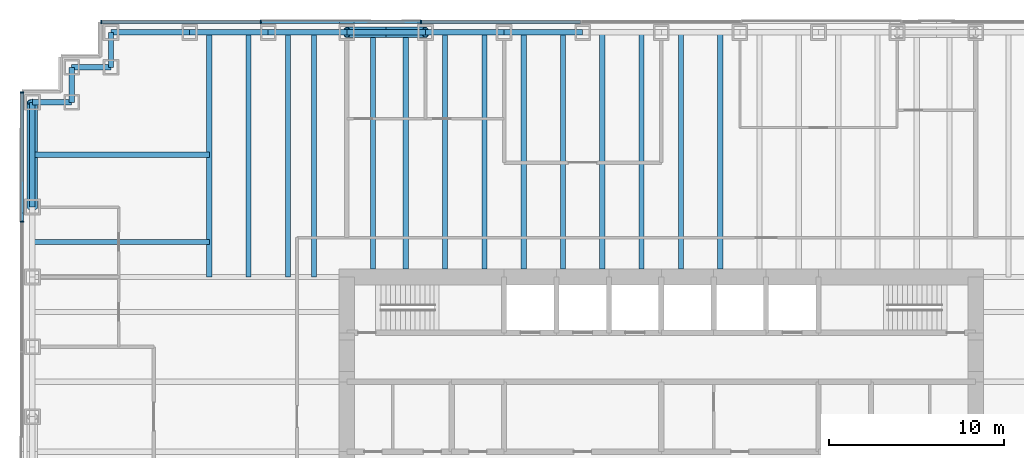
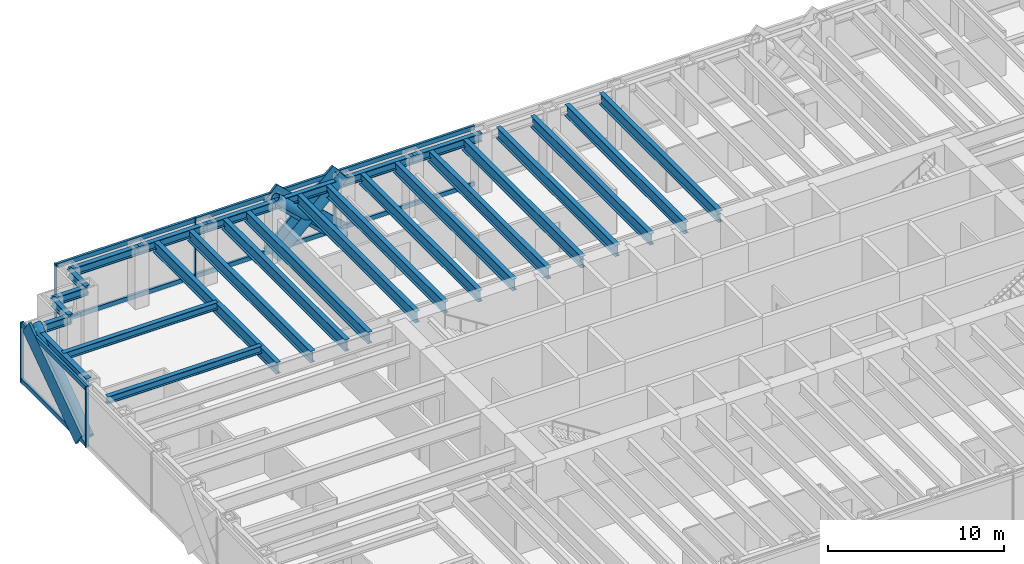
# One storey, part 6 of 17: 27 beams, 19 members, 2 elements without a shape of their own.
"""IFC4 building model written with IfcOpenShell, lengths in metres."""

from ifc_helpers import new_model, si_unit, direction, frame, origin, origin_2d, place, context, subcontext, project, spatial, rectangle, hollow_circle, i_section, extrude, material, material_profile, profile_set, type_object, element, aggregate, save


model = new_model("IFC4")

# Units and contexts
model_context = context("Model", 3, precision=1e-05, world=origin(), true_north=direction((0.0, 1.0)))
body_context = subcontext(model_context, "Body", "Model", "MODEL_VIEW")
ifc_project = project(units=[si_unit("LENGTHUNIT", "METRE"), si_unit("AREAUNIT", "SQUARE_METRE"), si_unit("VOLUMEUNIT", "CUBIC_METRE"), si_unit("PLANEANGLEUNIT", "RADIAN"), si_unit("MASSUNIT", "GRAM", prefix="KILO")], contexts=[model_context])

# Site, building, storey
site_placement = place(None, origin())
site = spatial("IfcSite", under=ifc_project, at=site_placement, CompositionType="ELEMENT")
building_placement = place(site_placement, origin())
building = spatial("IfcBuilding", under=site, at=building_placement, Name="Rheinbord Bourse Tower", CompositionType="ELEMENT")
storey_placement = place(building_placement, frame((0.0, 0.0, 138.300048828125)))
storey = spatial("IfcBuildingStorey", under=building, at=storey_placement, Name="L30", CompositionType="ELEMENT", Elevation=138.300048828125)

# Curtain wall, members
ifc_material_1 = material(Name="Dark glass and black aluminium", Category="aluminium")
curtain_wall_type = type_object("IfcCurtainWallType", Name="CW2 DARK GLASS CURTAIN WALL", PredefinedType="USERDEFINED", material=ifc_material_1)
curtain_wall_1_placement = place(storey_placement, origin())
curtain_wall_1 = element("IfcCurtainWall", 1, at=curtain_wall_1_placement, inside=storey, type_object=curtain_wall_type, Name="Curtain wall CW2 N L30", ObjectType="UNITISED CURTAIN WALL", PredefinedType="USERDEFINED")
ifc_material_2 = material(Name="Black anodised aluminium", Category="aluminium")
ifc_material_profile_1 = material_profile(ifc_material_2, rectangle(XDim=0.159912109375, YDim=1.2099609375, at=origin_2d()), Name="CW2 DIAGONAL MULLION 1210x160")
ifc_profile_set_1 = profile_set([ifc_material_profile_1], Name="Black anodised aluminium")
member_type_1 = type_object("IfcMemberType", Name="CW2 BLACK DIAGONAL MULLION", PredefinedType="USERDEFINED", material=ifc_profile_set_1)
member_1_placement = place(storey_placement, frame((18.0, 46.60009765625, 0.0), z_axis=(0.73105922506, 0.0, 0.682314010889), x_axis=(0.0, 1.0, 0.0)))
member_1 = element("IfcMember", 2, at=member_1_placement, type_object=member_type_1, Name="CW2 diagonal mullion a", ObjectType="DIAGONAL MULLION", PredefinedType="USERDEFINED", context=body_context, shape_type="SweptSolid", body=[
    extrude(rectangle(XDim=0.159912109375, YDim=1.2099609375, at=origin_2d()), origin(), (0.0, 0.0, 1.0), 6.155517578125),
])
member_2_placement = place(storey_placement, frame((22.5, 46.60009765625, 0.0), z_axis=(-0.73105922506, 0.0, 0.682314010889), x_axis=(0.0, -1.0, 0.0)))
member_2 = element("IfcMember", 3, at=member_2_placement, type_object=member_type_1, Name="CW2 diagonal mullion d", ObjectType="DIAGONAL MULLION", PredefinedType="USERDEFINED", context=body_context, shape_type="SweptSolid", body=[
    extrude(rectangle(XDim=0.159912109375, YDim=1.2099609375, at=origin_2d()), origin(), (0.0, 0.0, 1.0), 6.155517578125),
])

# Curtain wall, member
curtain_wall_2_placement = place(storey_placement, origin())
curtain_wall_2 = element("IfcCurtainWall", 4, at=curtain_wall_2_placement, inside=storey, type_object=curtain_wall_type, Name="Curtain wall CW2 W L30", ObjectType="UNITISED CURTAIN WALL", PredefinedType="USERDEFINED")
member_3_placement = place(storey_placement, frame((-0.60009765625, 36.0, 0.0), z_axis=(0.0, 0.819235052632, 0.57345786989), x_axis=(-1.0, 0.0, 0.0)))
member_3 = element("IfcMember", 5, at=member_3_placement, type_object=member_type_1, Name="CW2 diagonal mullion d", ObjectType="DIAGONAL MULLION", PredefinedType="USERDEFINED", context=body_context, shape_type="SweptSolid", body=[
    extrude(rectangle(XDim=0.159912109375, YDim=1.2099609375, at=origin_2d()), origin(), (0.0, 0.0, 1.0), 7.323974609375),
])

# Member
ifc_material_3 = material(Name="Black anodised aluminium", Category="aluminium")
ifc_material_profile_2 = material_profile(ifc_material_3, rectangle(XDim=0.219970703125, YDim=0.070068359375, at=origin_2d()), Name="CW2 MULLION 70x220")
ifc_profile_set_2 = profile_set([ifc_material_profile_2], Name="Black anodised aluminium")
member_type_2 = type_object("IfcMemberType", Name="CW2 BLACK MULLION", PredefinedType="MULLION", material=ifc_profile_set_2)
member_4_placement = place(storey_placement, frame((22.242919921875, 46.60009765625, 0.0), z_axis=(0.0, 0.0, 1.0), x_axis=(0.0, -1.0, 0.0)))
member_4 = element("IfcMember", 6, at=member_4_placement, type_object=member_type_2, Name="CW2 mullion 6", PredefinedType="MULLION", context=body_context, shape_type="SweptSolid", body=[
    extrude(rectangle(XDim=0.219970703125, YDim=0.070068359375, at=origin_2d()), origin(), (0.0, 0.0, 1.0), 4.199951171875),
])

member_5_placement = place(storey_placement, frame((13.071533203125, 46.60009765625, 0.0), z_axis=(0.0, 0.0, 1.0), x_axis=(0.0, -1.0, 0.0)))
member_5 = element("IfcMember", 7, at=member_5_placement, type_object=member_type_2, Name="CW2 mullion 7", PredefinedType="MULLION", context=body_context, shape_type="SweptSolid", body=[
    extrude(rectangle(XDim=0.219970703125, YDim=0.070068359375, at=origin_2d()), origin(), (0.0, 0.0, 1.0), 4.199951171875),
])

member_6_placement = place(storey_placement, frame((3.93505859375, 46.60009765625, 0.0), z_axis=(0.0, 0.0, 1.0), x_axis=(0.0, -1.0, 0.0)))
member_6 = element("IfcMember", 8, at=member_6_placement, type_object=member_type_2, Name="CW2 mullion 8", PredefinedType="MULLION", context=body_context, shape_type="SweptSolid", body=[
    extrude(rectangle(XDim=0.219970703125, YDim=0.070068359375, at=origin_2d()), origin(), (0.0, 0.0, 1.0), 4.199951171875),
])

member_7_placement = place(storey_placement, frame((-0.60009765625, 42.56494140625, 0.0), z_axis=(0.0, 0.0, 1.0), x_axis=(1.0, 0.0, 0.0)))
member_7 = element("IfcMember", 9, at=member_7_placement, type_object=member_type_2, Name="CW2 mullion 1", PredefinedType="MULLION", context=body_context, shape_type="SweptSolid", body=[
    extrude(rectangle(XDim=0.219970703125, YDim=0.070068359375, at=origin_2d()), origin(), (0.0, 0.0, 1.0), 4.199951171875),
])

member_8_placement = place(storey_placement, frame((-0.60009765625, 35.159912109375, 0.0), z_axis=(0.0, 0.0, 1.0), x_axis=(1.0, 0.0, 0.0)))
member_8 = element("IfcMember", 10, at=member_8_placement, type_object=member_type_2, Name="CW2 mullion 2", PredefinedType="MULLION", context=body_context, shape_type="SweptSolid", body=[
    extrude(rectangle(XDim=0.219970703125, YDim=0.070068359375, at=origin_2d()), origin(), (0.0, 0.0, 1.0), 4.199951171875),
])

ifc_material_4 = material(Name="Black anodised aluminium", Category="aluminium")
ifc_material_profile_3 = material_profile(ifc_material_4, rectangle(XDim=0.159912109375, YDim=0.300048828125, at=origin_2d()), Name="CW2 TRANSOM 300x160")
ifc_profile_set_3 = profile_set([ifc_material_profile_3], Name="Black anodised aluminium")
member_type_3 = type_object("IfcMemberType", Name="CW2 BLACK TRANSOM", PredefinedType="USERDEFINED", material=ifc_profile_set_3)
member_9_placement = place(storey_placement, frame((31.37939453125, 46.60009765625, 0.14990234375), z_axis=(-1.0, 0.0, 0.0), x_axis=(0.0, -1.0, 0.0)))
member_9 = element("IfcMember", 11, at=member_9_placement, type_object=member_type_3, Name="CW2 transom 5.1", ObjectType="TRANSOM", PredefinedType="USERDEFINED", context=body_context, shape_type="SweptSolid", body=[
    extrude(rectangle(XDim=0.159912109375, YDim=0.300048828125, at=origin_2d()), origin(), (0.0, 0.0, 1.0), 9.1015625),
])

member_10_placement = place(storey_placement, frame((31.37939453125, 46.60009765625, 4.050048828125), z_axis=(-1.0, 0.0, 0.0), x_axis=(0.0, -1.0, 0.0)))
member_10 = element("IfcMember", 12, at=member_10_placement, type_object=member_type_3, Name="CW2 transom 5.2", ObjectType="TRANSOM", PredefinedType="USERDEFINED", context=body_context, shape_type="SweptSolid", body=[
    extrude(rectangle(XDim=0.159912109375, YDim=0.300048828125, at=origin_2d()), origin(), (0.0, 0.0, 1.0), 9.1015625),
])

member_11_placement = place(storey_placement, frame((22.207763671875, 46.60009765625, 0.14990234375), z_axis=(-1.0, 0.0, 0.0), x_axis=(0.0, -1.0, 0.0)))
member_11 = element("IfcMember", 13, at=member_11_placement, type_object=member_type_3, Name="CW2 transom 6.1", ObjectType="TRANSOM", PredefinedType="USERDEFINED", context=body_context, shape_type="SweptSolid", body=[
    extrude(rectangle(XDim=0.159912109375, YDim=0.300048828125, at=origin_2d()), origin(), (0.0, 0.0, 1.0), 9.101318359375),
])

member_12_placement = place(storey_placement, frame((22.207763671875, 46.60009765625, 4.050048828125), z_axis=(-1.0, 0.0, 0.0), x_axis=(0.0, -1.0, 0.0)))
member_12 = element("IfcMember", 14, at=member_12_placement, type_object=member_type_3, Name="CW2 transom 6.2", ObjectType="TRANSOM", PredefinedType="USERDEFINED", context=body_context, shape_type="SweptSolid", body=[
    extrude(rectangle(XDim=0.159912109375, YDim=0.300048828125, at=origin_2d()), origin(), (0.0, 0.0, 1.0), 9.101318359375),
])

member_13_placement = place(storey_placement, frame((13.036376953125, 46.60009765625, 0.14990234375), z_axis=(-1.0, 0.0, 0.0), x_axis=(0.0, -1.0, 0.0)))
member_13 = element("IfcMember", 15, at=member_13_placement, type_object=member_type_3, Name="CW2 transom 7.1", ObjectType="TRANSOM", PredefinedType="USERDEFINED", context=body_context, shape_type="SweptSolid", body=[
    extrude(rectangle(XDim=0.159912109375, YDim=0.300048828125, at=origin_2d()), origin(), (0.0, 0.0, 1.0), 9.06640625),
])

member_14_placement = place(storey_placement, frame((13.036376953125, 46.60009765625, 4.050048828125), z_axis=(-1.0, 0.0, 0.0), x_axis=(0.0, -1.0, 0.0)))
member_14 = element("IfcMember", 16, at=member_14_placement, type_object=member_type_3, Name="CW2 transom 7.2", ObjectType="TRANSOM", PredefinedType="USERDEFINED", context=body_context, shape_type="SweptSolid", body=[
    extrude(rectangle(XDim=0.159912109375, YDim=0.300048828125, at=origin_2d()), origin(), (0.0, 0.0, 1.0), 9.06640625),
])

aggregate(curtain_wall_1, [member_4, member_5, member_6, member_9, member_10, member_11, member_12, member_13, member_14, member_1, member_2])

member_15_placement = place(storey_placement, frame((-0.60009765625, 42.530029296875, 0.14990234375), z_axis=(0.0, -1.0, 0.0), x_axis=(1.0, 0.0, 0.0)))
member_15 = element("IfcMember", 17, at=member_15_placement, type_object=member_type_3, Name="CW2 transom 1.1", ObjectType="TRANSOM", PredefinedType="USERDEFINED", context=body_context, shape_type="SweptSolid", body=[
    extrude(rectangle(XDim=0.159912109375, YDim=0.300048828125, at=origin_2d()), origin(), (0.0, 0.0, 1.0), 7.3349609375),
])

member_16_placement = place(storey_placement, frame((-0.60009765625, 42.530029296875, 4.050048828125), z_axis=(0.0, -1.0, 0.0), x_axis=(1.0, 0.0, 0.0)))
member_16 = element("IfcMember", 18, at=member_16_placement, type_object=member_type_3, Name="CW2 transom 1.2", ObjectType="TRANSOM", PredefinedType="USERDEFINED", context=body_context, shape_type="SweptSolid", body=[
    extrude(rectangle(XDim=0.159912109375, YDim=0.300048828125, at=origin_2d()), origin(), (0.0, 0.0, 1.0), 7.3349609375),
])

aggregate(curtain_wall_2, [member_7, member_8, member_15, member_16, member_3])

# Beams
ifc_material_5 = material(Name="Steel S460", Category="steel")
ifc_material_profile_4 = material_profile(ifc_material_5, i_section(OverallWidth=0.300048828125, OverallDepth=0.800048828125, WebThickness=0.017578125, FlangeThickness=0.032958984375, at=origin_2d()), Name="HEB 800")
ifc_profile_set_4 = profile_set([ifc_material_profile_4], Name="Steel S460")
beam_type_1 = type_object("IfcBeamType", Name="FLOOR BEAM HEB 800", PredefinedType="BEAM", material=ifc_profile_set_4)
for number, where, z_axis, x_axis, name in (
    (19, (10.125, 46.0, 3.639892578125), (0.0, -1.0, 0.0), (1.0, 0.0, 0.0), "Floor beam N-9a L31"),
    (20, (12.375, 46.0, 3.639892578125), (0.0, -1.0, 0.0), (1.0, 0.0, 0.0), "Floor beam N-9b L31"),
    (21, (14.625, 46.0, 3.639892578125), (0.0, -1.0, 0.0), (1.0, 0.0, 0.0), "Floor beam N-13.5a L31"),
    (22, (16.125, 46.0, 3.639892578125), (0.0, -1.0, 0.0), (1.0, 0.0, 0.0), "Floor beam N-13.5b L31"),
):
    element("IfcBeam", number, at=place(storey_placement, frame(where, z_axis=z_axis, x_axis=x_axis)), inside=storey, type_object=beam_type_1, Name=name, PredefinedType="BEAM", context=body_context, shape_type="SweptSolid", body=[
        extrude(i_section(OverallWidth=0.300048828125, OverallDepth=0.800048828125, WebThickness=0.017578125, FlangeThickness=0.032958984375, at=origin_2d()), origin(), (0.0, 0.0, 1.0), 14.0),
    ])
for number, where, z_axis, x_axis, name in (
    (23, (19.5, 46.0, 3.639892578125), (0.0, -1.0, 0.0), (1.0, 0.0, 0.0), "Floor beam N-18a L31"),
    (24, (21.375, 46.0, 3.639892578125), (0.0, -1.0, 0.0), (1.0, 0.0, 0.0), "Floor beam N-18b L31"),
    (25, (23.625, 46.0, 3.639892578125), (0.0, -1.0, 0.0), (1.0, 0.0, 0.0), "Floor beam N-22.5a L31"),
    (26, (25.875, 46.0, 3.639892578125), (0.0, -1.0, 0.0), (1.0, 0.0, 0.0), "Floor beam N-22.5b L31"),
    (27, (28.125, 46.0, 3.639892578125), (0.0, -1.0, 0.0), (1.0, 0.0, 0.0), "Floor beam N-27a L31"),
    (28, (30.375, 46.0, 3.639892578125), (0.0, -1.0, 0.0), (1.0, 0.0, 0.0), "Floor beam N-27b L31"),
    (29, (32.625, 46.0, 3.639892578125), (0.0, -1.0, 0.0), (1.0, 0.0, 0.0), "Floor beam N-31.5a L31"),
    (30, (34.875, 46.0, 3.639892578125), (0.0, -1.0, 0.0), (1.0, 0.0, 0.0), "Floor beam N-31.5b L31"),
    (31, (37.125, 46.0, 3.639892578125), (0.0, -1.0, 0.0), (1.0, 0.0, 0.0), "Floor beam N-36a L31"),
    (32, (39.375, 46.0, 3.639892578125), (0.0, -1.0, 0.0), (1.0, 0.0, 0.0), "Floor beam N-36b L31"),
):
    element("IfcBeam", number, at=place(storey_placement, frame(where, z_axis=z_axis, x_axis=x_axis)), inside=storey, type_object=beam_type_1, Name=name, PredefinedType="BEAM", context=body_context, shape_type="SweptSolid", body=[
        extrude(i_section(OverallWidth=0.300048828125, OverallDepth=0.800048828125, WebThickness=0.017578125, FlangeThickness=0.032958984375, at=origin_2d()), origin(), (0.0, 0.0, 1.0), 13.550048828125),
    ])

# Members
ifc_material_6 = material(Name="Steel S460", Category="steel")
ifc_material_profile_5 = material_profile(ifc_material_6, hollow_circle(Radius=0.304931640625, WallThickness=0.0400390625, at=origin_2d()), Name="CHS 610x40")
ifc_profile_set_5 = profile_set([ifc_material_profile_5], Name="Steel S460")
member_type_4 = type_object("IfcMemberType", Name="MEGABRACE CHS 610x40", PredefinedType="BRACE", material=ifc_profile_set_5)
for number, where, z_axis, x_axis, name in (
    (33, (18.0, 46.0, 0.0), (0.73105922506, 0.0, 0.682314010889), (0.0, 1.0, 0.0), "Megabrace N face line a L30"),
    (34, (22.5, 46.0, 0.0), (-0.73105922506, 0.0, 0.682314010889), (0.0, -1.0, 0.0), "Megabrace N face line d L30"),
):
    element("IfcMember", number, at=place(storey_placement, frame(where, z_axis=z_axis, x_axis=x_axis)), inside=storey, type_object=member_type_4, Name=name, PredefinedType="BRACE", context=body_context, shape_type="SweptSolid", body=[
        extrude(hollow_circle(Radius=0.304931640625, WallThickness=0.0400390625, at=origin_2d()), origin(), (0.0, 0.0, 1.0), 6.155517578125),
    ])
member_17_placement = place(storey_placement, frame((0.0, 36.0, 0.0), z_axis=(0.0, 0.819235052632, 0.57345786989), x_axis=(-1.0, 0.0, 0.0)))
element("IfcMember", 35, at=member_17_placement, inside=storey, type_object=member_type_4, Name="Megabrace W face line d L30", PredefinedType="BRACE", context=body_context, shape_type="SweptSolid", body=[
    extrude(hollow_circle(Radius=0.304931640625, WallThickness=0.0400390625, at=origin_2d()), origin(), (0.0, 0.0, 1.0), 7.323974609375),
])

# Beams
ifc_material_7 = material(Name="Steel S460", Category="steel")
ifc_material_profile_6 = material_profile(ifc_material_7, i_section(OverallWidth=0.305908203125, OverallDepth=0.572021484375, WebThickness=0.02099609375, FlangeThickness=0.0400390625, at=origin_2d()), Name="HEM 550")
ifc_profile_set_6 = profile_set([ifc_material_profile_6], Name="Steel S460")
beam_type_2 = type_object("IfcBeamType", Name="SPANDREL HEM 550", PredefinedType="SPANDREL", material=ifc_profile_set_6)
for number, where, z_axis, x_axis, name in (
    (36, (31.5, 46.0, 3.75390625), (-1.0, 0.0, 0.0), (0.0, -1.0, 0.0), "Spandrel N-31.5-N-27 under L31"),
    (37, (27.0, 46.0, 3.75390625), (-1.0, 0.0, 0.0), (0.0, -1.0, 0.0), "Spandrel N-27-N-22.5 under L31"),
    (38, (22.5, 46.0, 3.75390625), (-1.0, 0.0, 0.0), (0.0, -1.0, 0.0), "Spandrel N-22.5-N-18 under L31"),
    (39, (18.0, 46.0, 3.75390625), (-1.0, 0.0, 0.0), (0.0, -1.0, 0.0), "Spandrel N-18-N-13.5 under L31"),
    (40, (13.5, 46.0, 3.75390625), (-1.0, 0.0, 0.0), (0.0, -1.0, 0.0), "Spandrel N-13.5-N-9 under L31"),
    (41, (9.0, 46.0, 3.75390625), (-1.0, 0.0, 0.0), (0.0, -1.0, 0.0), "Spandrel N-9-NW-E under L31"),
):
    element("IfcBeam", number, at=place(storey_placement, frame(where, z_axis=z_axis, x_axis=x_axis)), inside=storey, type_object=beam_type_2, Name=name, PredefinedType="SPANDREL", context=body_context, shape_type="SweptSolid", body=[
        extrude(i_section(OverallWidth=0.305908203125, OverallDepth=0.572021484375, WebThickness=0.02099609375, FlangeThickness=0.0400390625, at=origin_2d()), origin(), (0.0, 0.0, 1.0), 4.5),
    ])
beam_1_placement = place(storey_placement, frame((4.5, 46.0, 3.75390625), z_axis=(0.0, -1.0, 0.0), x_axis=(1.0, 0.0, 0.0)))
element("IfcBeam", 42, at=beam_1_placement, inside=storey, type_object=beam_type_2, Name="Spandrel NW-E-NW-D under L31", PredefinedType="SPANDREL", context=body_context, shape_type="SweptSolid", body=[
    extrude(i_section(OverallWidth=0.305908203125, OverallDepth=0.572021484375, WebThickness=0.02099609375, FlangeThickness=0.0400390625, at=origin_2d()), origin(), (0.0, 0.0, 1.0), 2.0),
])
beam_2_placement = place(storey_placement, frame((4.5, 44.0, 3.75390625), z_axis=(-1.0, 0.0, 0.0), x_axis=(0.0, -1.0, 0.0)))
element("IfcBeam", 43, at=beam_2_placement, inside=storey, type_object=beam_type_2, Name="Spandrel NW-D-NW-C under L31", PredefinedType="SPANDREL", context=body_context, shape_type="SweptSolid", body=[
    extrude(i_section(OverallWidth=0.305908203125, OverallDepth=0.572021484375, WebThickness=0.02099609375, FlangeThickness=0.0400390625, at=origin_2d()), origin(), (0.0, 0.0, 1.0), 2.25),
])
beam_3_placement = place(storey_placement, frame((2.25, 44.0, 3.75390625), z_axis=(0.0, -1.0, 0.0), x_axis=(1.0, 0.0, 0.0)))
element("IfcBeam", 44, at=beam_3_placement, inside=storey, type_object=beam_type_2, Name="Spandrel NW-C-NW-B under L31", PredefinedType="SPANDREL", context=body_context, shape_type="SweptSolid", body=[
    extrude(i_section(OverallWidth=0.305908203125, OverallDepth=0.572021484375, WebThickness=0.02099609375, FlangeThickness=0.0400390625, at=origin_2d()), origin(), (0.0, 0.0, 1.0), 2.0),
])
beam_4_placement = place(storey_placement, frame((2.25, 42.0, 3.75390625), z_axis=(-1.0, 0.0, 0.0), x_axis=(0.0, -1.0, 0.0)))
element("IfcBeam", 45, at=beam_4_placement, inside=storey, type_object=beam_type_2, Name="Spandrel NW-B-NW-A under L31", PredefinedType="SPANDREL", context=body_context, shape_type="SweptSolid", body=[
    extrude(i_section(OverallWidth=0.305908203125, OverallDepth=0.572021484375, WebThickness=0.02099609375, FlangeThickness=0.0400390625, at=origin_2d()), origin(), (0.0, 0.0, 1.0), 2.25),
])
beam_5_placement = place(storey_placement, frame((0.0, 42.0, 3.75390625), z_axis=(0.0, -1.0, 0.0), x_axis=(1.0, 0.0, 0.0)))
element("IfcBeam", 46, at=beam_5_placement, inside=storey, type_object=beam_type_2, Name="Spandrel NW-A-W-36 under L31", PredefinedType="SPANDREL", context=body_context, shape_type="SweptSolid", body=[
    extrude(i_section(OverallWidth=0.305908203125, OverallDepth=0.572021484375, WebThickness=0.02099609375, FlangeThickness=0.0400390625, at=origin_2d()), origin(), (0.0, 0.0, 1.0), 6.0),
])
ifc_material_8 = material(Name="Steel S460", Category="steel")
ifc_material_profile_7 = material_profile(ifc_material_8, i_section(OverallWidth=0.300048828125, OverallDepth=0.5, WebThickness=0.014404296875, FlangeThickness=0.028076171875, at=origin_2d()), Name="HEB 500")
ifc_profile_set_7 = profile_set([ifc_material_profile_7], Name="Steel S460")
beam_type_3 = type_object("IfcBeamType", Name="TIE BEAM HEB 500", PredefinedType="JOIST", material=ifc_profile_set_7)
for number, where, z_axis, x_axis, name in (
    (47, (0.0, 34.0, 3.7900390625), (1.0, 0.0, 0.0), (0.0, 1.0, 0.0), "Tie west 34 L31"),
    (48, (0.0, 39.0, 3.7900390625), (1.0, 0.0, 0.0), (0.0, 1.0, 0.0), "Tie west 39 L31"),
):
    element("IfcBeam", number, at=place(storey_placement, frame(where, z_axis=z_axis, x_axis=x_axis)), inside=storey, type_object=beam_type_3, Name=name, PredefinedType="JOIST", context=body_context, shape_type="SweptSolid", body=[
        extrude(i_section(OverallWidth=0.300048828125, OverallDepth=0.5, WebThickness=0.014404296875, FlangeThickness=0.028076171875, at=origin_2d()), origin(), (0.0, 0.0, 1.0), 10.125),
    ])

save(model, "model.ifc")
